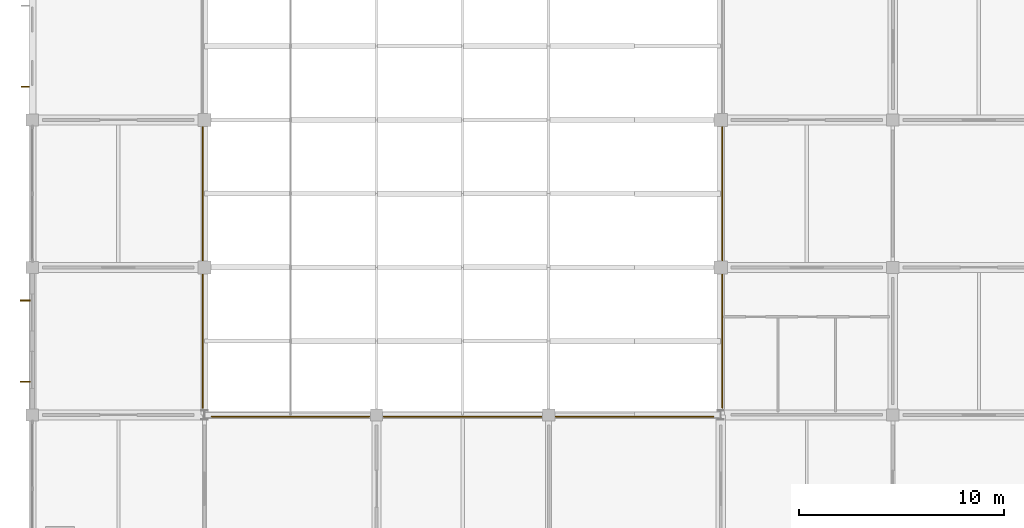
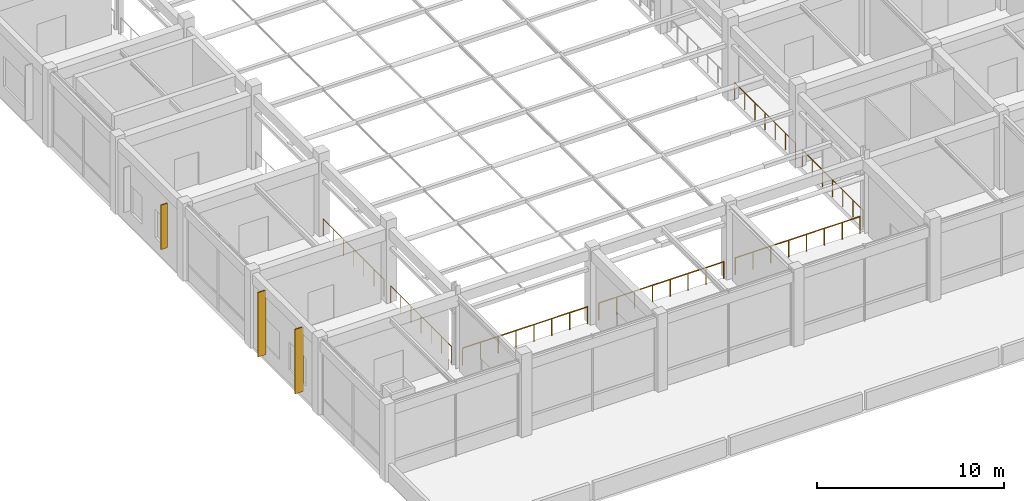
# One storey, part 33 of 38: 7 railings, 3 shading devices.
"""IFC4 building model written with IfcOpenShell, lengths in metres."""

from ifc_helpers import new_model, si_unit, derived_unit, direction, frame, origin, origin_2d, place, context, subcontext, project, spatial, rectangle, circle, extrude, material, layer, layer_set, type_object, element, save


model = new_model("IFC4")

# Units and contexts
model_context = context("Model", 3, precision=1e-05, world=origin(), true_north=direction((0.0, 1.0)))
body_context = subcontext(model_context, "Body", "Model", "MODEL_VIEW")
ifc_project = project(units=[si_unit("LENGTHUNIT", "METRE"), si_unit("AREAUNIT", "SQUARE_METRE"), si_unit("VOLUMEUNIT", "CUBIC_METRE"), si_unit("PLANEANGLEUNIT", "RADIAN"), si_unit("MASSUNIT", "GRAM", prefix="KILO"), derived_unit("THERMALTRANSMITTANCEUNIT", [(si_unit("MASSUNIT", "GRAM", prefix="KILO"), 1), (si_unit("TIMEUNIT", "SECOND"), -3), (si_unit("THERMODYNAMICTEMPERATUREUNIT", "KELVIN"), -1)])], contexts=[model_context])

# Site, building, storey
site_placement = place(None, origin())
site = spatial("IfcSite", under=ifc_project, at=site_placement, CompositionType="ELEMENT")
building_placement = place(site_placement, origin())
building = spatial("IfcBuilding", under=site, at=building_placement, Name="Veldstrom Oceanarium and Marine Research Institute", CompositionType="ELEMENT")
storey_placement = place(building_placement, frame((0.0, 0.0, 16.800048828125)))
storey = spatial("IfcBuildingStorey", under=building, at=storey_placement, Name="L03", CompositionType="ELEMENT", Elevation=16.800048828125)

# Railings
ifc_material_1 = material(Name="Duplex Stainless Steel Balustrade", Category="steel")
ifc_layer_1 = layer(ifc_material_1, 0.06005859375)
ifc_layer_set_1 = layer_set([ifc_layer_1], Name="ARC-RLG-GR1")
railing_type = type_object("IfcRailingType", Name="ARC-RLG-GR1", PredefinedType="GUARDRAIL", material=ifc_layer_set_1)
for number, where, name in (
    (1, (16.719970703125, 14.75, 0.0), "Atrium Overlook Guardrail GR-ATR-L03-20"),
    (2, (16.719970703125, 21.949951171875, 0.0), "Atrium Overlook Guardrail GR-ATR-L03-21"),
):
    element("IfcRailing", number, at=place(storey_placement, frame(where)), inside=storey, type_object=railing_type, Name=name, PredefinedType="GUARDRAIL", context=body_context, shape_type="SweptSolid", body=[
        extrude(circle(Radius=0.02392578125, at=origin_2d()), frame((0.0, 0.0, 1.09619140625), z_axis=(0.0, 1.0, 0.0), x_axis=(-1.0, 0.0, 0.0)), (0.0, 0.0, 1.0), 6.5),
        extrude(circle(Radius=0.02099609375, at=origin_2d()), origin(), (0.0, 0.0, 1.0), 1.072021484375),
        extrude(circle(Radius=0.02099609375, at=origin_2d()), frame((0.0, 1.083251953125, 0.0)), (0.0, 0.0, 1.0), 1.072021484375),
        extrude(circle(Radius=0.02099609375, at=origin_2d()), frame((0.0, 2.166748046875, 0.0)), (0.0, 0.0, 1.0), 1.072021484375),
        extrude(circle(Radius=0.02099609375, at=origin_2d()), frame((0.0, 3.25, 0.0)), (0.0, 0.0, 1.0), 1.072021484375),
        extrude(circle(Radius=0.02099609375, at=origin_2d()), frame((0.0, 4.333251953125, 0.0)), (0.0, 0.0, 1.0), 1.072021484375),
        extrude(circle(Radius=0.02099609375, at=origin_2d()), frame((0.0, 5.416748046875, 0.0)), (0.0, 0.0, 1.0), 1.072021484375),
        extrude(circle(Radius=0.02099609375, at=origin_2d()), frame((0.0, 6.5, 0.0)), (0.0, 0.0, 1.0), 1.072021484375),
    ])
railing_placement = place(storey_placement, frame((17.14990234375, 14.320068359375, 0.0)))
element("IfcRailing", 3, at=railing_placement, inside=storey, type_object=railing_type, Name="Atrium Overlook Guardrail GR-ATR-L03-26", PredefinedType="GUARDRAIL", context=body_context, shape_type="SweptSolid", body=[
    extrude(circle(Radius=0.02392578125, at=origin_2d()), frame((0.0, 0.0, 1.09619140625), z_axis=(1.0, 0.0, 0.0), x_axis=(0.0, 1.0, 0.0)), (0.0, 0.0, 1.0), 7.7001953125),
    extrude(circle(Radius=0.02099609375, at=origin_2d()), origin(), (0.0, 0.0, 1.0), 1.072021484375),
    extrude(circle(Radius=0.02099609375, at=origin_2d()), frame((1.10009765625, 0.0, 0.0)), (0.0, 0.0, 1.0), 1.072021484375),
    extrude(circle(Radius=0.02099609375, at=origin_2d()), frame((2.199951171875, 0.0, 0.0)), (0.0, 0.0, 1.0), 1.072021484375),
    extrude(circle(Radius=0.02099609375, at=origin_2d()), frame((3.300048828125, 0.0, 0.0)), (0.0, 0.0, 1.0), 1.072021484375),
    extrude(circle(Radius=0.02099609375, at=origin_2d()), frame((4.400146484375, 0.0, 0.0)), (0.0, 0.0, 1.0), 1.072021484375),
    extrude(circle(Radius=0.02099609375, at=origin_2d()), frame((5.500244140625, 0.0, 0.0)), (0.0, 0.0, 1.0), 1.072021484375),
    extrude(circle(Radius=0.02099609375, at=origin_2d()), frame((6.60009765625, 0.0, 0.0)), (0.0, 0.0, 1.0), 1.072021484375),
    extrude(circle(Radius=0.02099609375, at=origin_2d()), frame((7.7001953125, 0.0, 0.0)), (0.0, 0.0, 1.0), 1.072021484375),
])
for number, where, name in (
    (4, (25.550048828125, 14.320068359375, 0.0), "Atrium Overlook Guardrail GR-ATR-L03-28"),
    (5, (33.949951171875, 14.320068359375, 0.0), "Atrium Overlook Guardrail GR-ATR-L03-30"),
):
    element("IfcRailing", number, at=place(storey_placement, frame(where)), inside=storey, type_object=railing_type, Name=name, PredefinedType="GUARDRAIL", context=body_context, shape_type="SweptSolid", body=[
        extrude(circle(Radius=0.02392578125, at=origin_2d()), frame((0.0, 0.0, 1.09619140625), z_axis=(1.0, 0.0, 0.0), x_axis=(0.0, 1.0, 0.0)), (0.0, 0.0, 1.0), 7.699951171875),
        extrude(circle(Radius=0.02099609375, at=origin_2d()), origin(), (0.0, 0.0, 1.0), 1.072021484375),
        extrude(circle(Radius=0.02099609375, at=origin_2d()), frame((1.10009765625, 0.0, 0.0)), (0.0, 0.0, 1.0), 1.072021484375),
        extrude(circle(Radius=0.02099609375, at=origin_2d()), frame((2.199951171875, 0.0, 0.0)), (0.0, 0.0, 1.0), 1.072021484375),
        extrude(circle(Radius=0.02099609375, at=origin_2d()), frame((3.300048828125, 0.0, 0.0)), (0.0, 0.0, 1.0), 1.072021484375),
        extrude(circle(Radius=0.02099609375, at=origin_2d()), frame((4.39990234375, 0.0, 0.0)), (0.0, 0.0, 1.0), 1.072021484375),
        extrude(circle(Radius=0.02099609375, at=origin_2d()), frame((5.5, 0.0, 0.0)), (0.0, 0.0, 1.0), 1.072021484375),
        extrude(circle(Radius=0.02099609375, at=origin_2d()), frame((6.599853515625, 0.0, 0.0)), (0.0, 0.0, 1.0), 1.072021484375),
        extrude(circle(Radius=0.02099609375, at=origin_2d()), frame((7.699951171875, 0.0, 0.0)), (0.0, 0.0, 1.0), 1.072021484375),
    ])
for number, where, name in (
    (6, (42.080078125, 14.75, 0.0), "Atrium Overlook Guardrail GR-ATR-L03-32"),
    (7, (42.080078125, 21.949951171875, 0.0), "Atrium Overlook Guardrail GR-ATR-L03-33"),
):
    element("IfcRailing", number, at=place(storey_placement, frame(where)), inside=storey, type_object=railing_type, Name=name, PredefinedType="GUARDRAIL", context=body_context, shape_type="SweptSolid", body=[
        extrude(circle(Radius=0.02392578125, at=origin_2d()), frame((0.0, 0.0, 1.09619140625), z_axis=(0.0, 1.0, 0.0), x_axis=(-1.0, 0.0, 0.0)), (0.0, 0.0, 1.0), 6.5),
        extrude(circle(Radius=0.02099609375, at=origin_2d()), origin(), (0.0, 0.0, 1.0), 1.072021484375),
        extrude(circle(Radius=0.02099609375, at=origin_2d()), frame((0.0, 1.083251953125, 0.0)), (0.0, 0.0, 1.0), 1.072021484375),
        extrude(circle(Radius=0.02099609375, at=origin_2d()), frame((0.0, 2.166748046875, 0.0)), (0.0, 0.0, 1.0), 1.072021484375),
        extrude(circle(Radius=0.02099609375, at=origin_2d()), frame((0.0, 3.25, 0.0)), (0.0, 0.0, 1.0), 1.072021484375),
        extrude(circle(Radius=0.02099609375, at=origin_2d()), frame((0.0, 4.333251953125, 0.0)), (0.0, 0.0, 1.0), 1.072021484375),
        extrude(circle(Radius=0.02099609375, at=origin_2d()), frame((0.0, 5.416748046875, 0.0)), (0.0, 0.0, 1.0), 1.072021484375),
        extrude(circle(Radius=0.02099609375, at=origin_2d()), frame((0.0, 6.5, 0.0)), (0.0, 0.0, 1.0), 1.072021484375),
    ])

# Shading devices
ifc_material_2 = material(Name="Precast Terracotta Brise-Soleil Louvre", Category="masonry")
ifc_layer_2 = layer(ifc_material_2, 4.199951171875)
ifc_layer_set_2 = layer_set([ifc_layer_2], Name="ARC-SHD-BS03")
shading_device_type_1 = type_object("IfcShadingDeviceType", Name="ARC-SHD-BS03", PredefinedType="JALOUSIE", material=ifc_layer_set_2)
for number, where, z_axis, x_axis, name in (
    (8, (8.047607421875, 16.02001953125, 0.375), (0.0, 0.0, 1.0), (1.0, 0.0, 0.0), "Terracotta Brise-Soleil Louvre L03-086"),
    (9, (8.047607421875, 19.97998046875, 0.375), (0.0, 0.0, 1.0), (1.0, 0.0, 0.0), "Terracotta Brise-Soleil Louvre L03-086"),
):
    element("IfcShadingDevice", number, at=place(storey_placement, frame(where, z_axis=z_axis, x_axis=x_axis)), inside=storey, type_object=shading_device_type_1, Name=name, PredefinedType="JALOUSIE", context=body_context, shape_type="SweptSolid", body=[
        extrude(rectangle(XDim=0.5, YDim=0.06494140625, at=origin_2d()), origin(), (0.0, 0.0, 1.0), 4.199951171875),
    ])
ifc_material_3 = material(Name="Precast Terracotta Brise-Soleil Louvre", Category="masonry")
ifc_layer_3 = layer(ifc_material_3, 2.89990234375)
ifc_layer_set_3 = layer_set([ifc_layer_3], Name="ARC-SHD-BS04")
shading_device_type_2 = type_object("IfcShadingDeviceType", Name="ARC-SHD-BS04", PredefinedType="JALOUSIE", material=ifc_layer_set_3)
shading_device_placement = place(storey_placement, frame((8.050048828125, 30.419921875, 1.02490234375), z_axis=(0.0, 0.0, 1.0), x_axis=(1.0, 0.0, 0.0)))
element("IfcShadingDevice", 10, at=shading_device_placement, inside=storey, type_object=shading_device_type_2, Name="Terracotta Brise-Soleil Louvre L03-087", PredefinedType="JALOUSIE", context=body_context, shape_type="SweptSolid", body=[
    extrude(rectangle(XDim=0.39990234375, YDim=0.054931640625, at=origin_2d()), origin(), (0.0, 0.0, 1.0), 2.89990234375),
])

save(model, "model.ifc")
